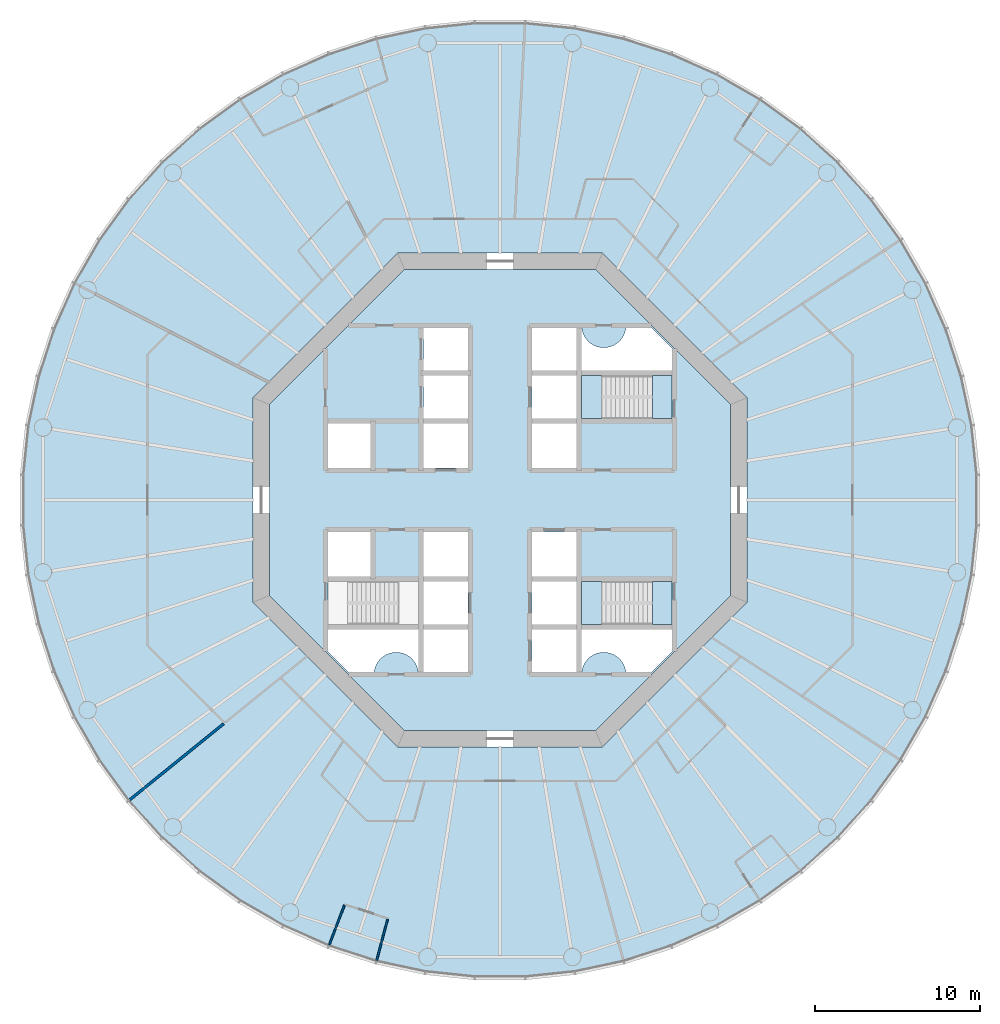
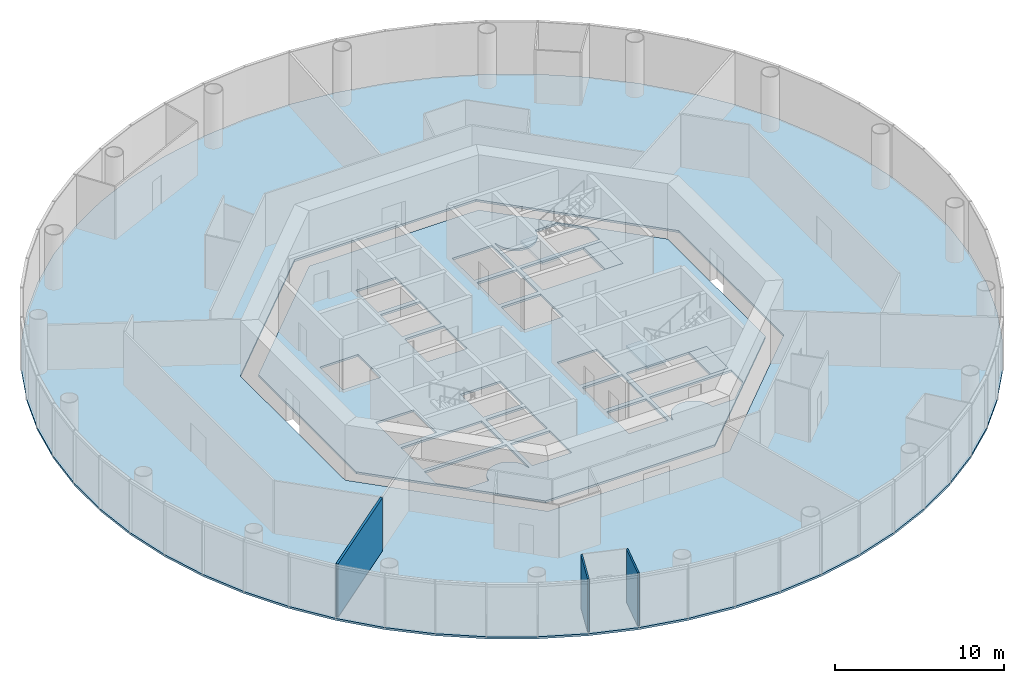
# One storey, part 2 of 13: 6 slabs, 3 walls, 2 elements without a shape of their own.
"""IFC4 building model written with IfcOpenShell, lengths in metres."""

from ifc_helpers import new_model, si_unit, direction, frame, frame_2d, origin, place, context, subcontext, project, spatial, polyline, rectangle, outline, extrude, material, layer, layer_set, type_object, element, aggregate, save


model = new_model("IFC4")

# Units and contexts
model_context = context("Model", 3, precision=1e-05, world=origin(), true_north=direction((0.0, 1.0)))
body_context = subcontext(model_context, "Body", "Model", "MODEL_VIEW")
ifc_project = project(units=[si_unit("LENGTHUNIT", "METRE"), si_unit("AREAUNIT", "SQUARE_METRE"), si_unit("VOLUMEUNIT", "CUBIC_METRE"), si_unit("PLANEANGLEUNIT", "RADIAN"), si_unit("MASSUNIT", "GRAM", prefix="KILO")], contexts=[model_context])

# Site, building, storey
site_placement = place(None, origin())
site = spatial("IfcSite", under=ifc_project, at=site_placement, CompositionType="ELEMENT")
building_placement = place(site_placement, origin())
building = spatial("IfcBuilding", under=site, at=building_placement, Name="Entoto Ring Tower", CompositionType="ELEMENT")
storey_placement = place(building_placement, frame((0.0, 0.0, 172.0)))
storey = spatial("IfcBuildingStorey", under=building, at=storey_placement, Name="L39", CompositionType="ELEMENT", Elevation=172.0)

# Slabs
ifc_material_1 = material(Name="Concrete C30/37", Category="concrete")
ifc_layer_1 = layer(ifc_material_1, 0.14990234375)
ifc_layer_set_1 = layer_set([ifc_layer_1], Name="Concrete C30/37")
slab_type_1 = type_object("IfcSlabType", Name="Composite floor slab 150 mm", PredefinedType="FLOOR", material=ifc_layer_set_1)
slab_1_placement = place(storey_placement, frame((0.0, 0.0, -0.14990234375)))
element("IfcSlab", 1, at=slab_1_placement, inside=storey, type_object=slab_type_1, Name="Floor slab L39", PredefinedType="FLOOR", context=body_context, shape_type="SweptSolid", body=[
    extrude(outline(polyline([(118.74169921875, 84.55224609375), (118.1083984375, 87.53173828125), (117.167236328125, 90.428466796875), (115.92822265625, 93.211181640625), (114.4052734375, 95.848876953125), (112.614990234375, 98.313232421875), (110.576904296875, 100.576904296875), (108.313232421875, 102.614990234375), (105.848876953125, 104.4052734375), (103.211181640625, 105.92822265625), (100.428466796875, 107.167236328125), (97.53173828125, 108.1083984375), (94.55224609375, 108.74169921875), (91.52294921875, 109.06005859375), (88.47705078125, 109.06005859375), (85.44775390625, 108.74169921875), (82.46826171875, 108.1083984375), (79.571533203125, 107.167236328125), (76.788818359375, 105.92822265625), (74.151123046875, 104.4052734375), (71.686767578125, 102.614990234375), (69.423095703125, 100.576904296875), (67.385009765625, 98.313232421875), (65.5947265625, 95.848876953125), (64.07177734375, 93.211181640625), (62.832763671875, 90.428466796875), (61.8916015625, 87.53173828125), (61.25830078125, 84.55224609375), (60.93994140625, 81.52294921875), (60.93994140625, 78.47705078125), (61.25830078125, 75.44775390625), (61.8916015625, 72.46826171875), (62.832763671875, 69.571533203125), (64.07177734375, 66.788818359375), (65.5947265625, 64.151123046875), (67.385009765625, 61.686767578125), (69.423095703125, 59.423095703125), (71.686767578125, 57.385009765625), (74.151123046875, 55.5947265625), (76.788818359375, 54.07177734375), (79.571533203125, 52.832763671875), (82.46826171875, 51.8916015625), (85.44775390625, 51.25830078125), (88.47705078125, 50.93994140625), (91.52294921875, 50.93994140625), (94.55224609375, 51.25830078125), (97.53173828125, 51.8916015625), (100.428466796875, 52.832763671875), (103.211181640625, 54.07177734375), (105.848876953125, 55.5947265625), (108.313232421875, 57.385009765625), (110.576904296875, 59.423095703125), (112.614990234375, 61.686767578125), (114.4052734375, 64.151123046875), (115.92822265625, 66.788818359375), (117.167236328125, 69.571533203125), (118.1083984375, 72.46826171875), (118.74169921875, 75.44775390625), (119.06005859375, 78.47705078125), (119.06005859375, 81.52294921875), (118.74169921875, 84.55224609375)]), holes=[polyline([(105.0, 73.786865234375), (105.0, 86.213134765625), (96.213134765625, 95.0), (83.786865234375, 95.0), (75.0, 86.213134765625), (75.0, 73.786865234375), (83.786865234375, 65.0), (96.213134765625, 65.0), (105.0, 73.786865234375)])]), origin(), (0.0, 0.0, 1.0), 0.14990234375),
])
ifc_material_2 = material(Name="Concrete C40/50", Category="concrete")
ifc_layer_2 = layer(ifc_material_2, 0.14990234375)
ifc_layer_set_2 = layer_set([ifc_layer_2], Name="Concrete C40/50")
slab_type_2 = type_object("IfcSlabType", Name="Core floor slab 150 mm reinforced concrete C40/50", PredefinedType="FLOOR", material=ifc_layer_set_2)
slab_2_placement = place(storey_placement, frame((0.0, 0.0, -0.14990234375)))
element("IfcSlab", 2, at=slab_2_placement, inside=storey, type_object=slab_type_2, Name="Core floor L39", PredefinedType="FLOOR", context=body_context, shape_type="SweptSolid", body=[
    extrude(outline(polyline([(104.0, 74.200927734375), (104.0, 85.799072265625), (95.799072265625, 94.0), (84.200927734375, 94.0), (76.0, 85.799072265625), (76.0, 74.200927734375), (84.200927734375, 66.0), (95.799072265625, 66.0), (104.0, 74.200927734375)]), holes=[polyline([(100.449951171875, 84.949951171875), (100.449951171875, 87.550048828125), (94.949951171875, 87.550048828125), (94.949951171875, 84.949951171875), (100.449951171875, 84.949951171875)]), polyline([(85.050048828125, 72.449951171875), (85.050048828125, 75.050048828125), (79.550048828125, 75.050048828125), (79.550048828125, 72.449951171875), (85.050048828125, 72.449951171875)]), polyline([(100.449951171875, 72.449951171875), (100.449951171875, 75.050048828125), (94.949951171875, 75.050048828125), (94.949951171875, 72.449951171875), (100.449951171875, 72.449951171875)]), polyline([(91.949951171875, 84.949951171875), (94.64990234375, 84.949951171875), (94.64990234375, 87.550048828125), (91.949951171875, 87.550048828125), (91.949951171875, 84.949951171875)]), polyline([(91.949951171875, 72.449951171875), (94.64990234375, 72.449951171875), (94.64990234375, 75.050048828125), (91.949951171875, 75.050048828125), (91.949951171875, 72.449951171875)]), polyline([(91.949951171875, 69.550048828125), (94.64990234375, 69.550048828125), (94.64990234375, 72.14990234375), (91.949951171875, 72.14990234375), (91.949951171875, 69.550048828125)]), polyline([(85.35009765625, 72.449951171875), (88.050048828125, 72.449951171875), (88.050048828125, 75.050048828125), (85.35009765625, 75.050048828125), (85.35009765625, 72.449951171875)]), polyline([(85.35009765625, 81.949951171875), (88.050048828125, 81.949951171875), (88.050048828125, 84.64990234375), (85.35009765625, 84.64990234375), (85.35009765625, 81.949951171875)]), polyline([(91.949951171875, 75.35009765625), (94.64990234375, 75.35009765625), (94.64990234375, 78.050048828125), (91.949951171875, 78.050048828125), (91.949951171875, 75.35009765625)]), polyline([(79.550048828125, 81.949951171875), (82.14990234375, 81.949951171875), (82.14990234375, 84.64990234375), (79.550048828125, 84.64990234375), (79.550048828125, 81.949951171875)]), polyline([(79.550048828125, 75.35009765625), (82.14990234375, 75.35009765625), (82.14990234375, 78.050048828125), (79.550048828125, 78.050048828125), (79.550048828125, 75.35009765625)]), polyline([(91.949951171875, 87.85009765625), (94.64990234375, 87.85009765625), (94.64990234375, 90.449951171875), (91.949951171875, 90.449951171875), (91.949951171875, 87.85009765625)]), polyline([(85.35009765625, 69.550048828125), (88.050048828125, 69.550048828125), (88.050048828125, 72.14990234375), (85.35009765625, 72.14990234375), (85.35009765625, 69.550048828125)]), polyline([(91.949951171875, 81.949951171875), (94.64990234375, 81.949951171875), (94.64990234375, 84.64990234375), (91.949951171875, 84.64990234375), (91.949951171875, 81.949951171875)]), polyline([(85.35009765625, 75.35009765625), (88.050048828125, 75.35009765625), (88.050048828125, 78.050048828125), (85.35009765625, 78.050048828125), (85.35009765625, 75.35009765625)]), polyline([(85.35009765625, 84.949951171875), (88.050048828125, 84.949951171875), (88.050048828125, 87.550048828125), (85.35009765625, 87.550048828125), (85.35009765625, 84.949951171875)]), polyline([(85.35009765625, 87.85009765625), (88.050048828125, 87.85009765625), (88.050048828125, 90.449951171875), (85.35009765625, 90.449951171875), (85.35009765625, 87.85009765625)]), polyline([(94.89990234375, 90.5), (94.89990234375, 87.800048828125), (100.5, 87.800048828125), (100.5, 89.15771484375), (99.15771484375, 90.5), (97.64501953125, 90.5), (97.6435546875, 90.4677734375), (97.6240234375, 90.336669921875), (97.591796875, 90.2080078125), (97.547119140625, 90.08349609375), (97.490478515625, 89.963623046875), (97.422607421875, 89.85009765625), (97.343505859375, 89.74365234375), (97.254638671875, 89.6455078125), (97.156494140625, 89.556396484375), (97.050048828125, 89.4775390625), (96.936279296875, 89.409423828125), (96.816650390625, 89.352783203125), (96.69189453125, 89.30810546875), (96.5634765625, 89.27587890625), (96.432373046875, 89.256591796875), (96.300048828125, 89.25), (96.167724609375, 89.256591796875), (96.03662109375, 89.27587890625), (95.908203125, 89.30810546875), (95.783447265625, 89.352783203125), (95.66357421875, 89.409423828125), (95.550048828125, 89.4775390625), (95.443603515625, 89.556396484375), (95.345458984375, 89.6455078125), (95.25634765625, 89.74365234375), (95.177490234375, 89.85009765625), (95.109375, 89.963623046875), (95.052734375, 90.08349609375), (95.008056640625, 90.2080078125), (94.975830078125, 90.336669921875), (94.95654296875, 90.4677734375), (94.954833984375, 90.5), (94.89990234375, 90.5)]), polyline([(79.5, 70.84228515625), (80.84228515625, 69.5), (82.35498046875, 69.5), (82.3564453125, 69.5322265625), (82.3759765625, 69.663330078125), (82.408203125, 69.7919921875), (82.452880859375, 69.91650390625), (82.509521484375, 70.036376953125), (82.577392578125, 70.14990234375), (82.656494140625, 70.25634765625), (82.745361328125, 70.3544921875), (82.843505859375, 70.443603515625), (82.949951171875, 70.5224609375), (83.063720703125, 70.590576171875), (83.183349609375, 70.647216796875), (83.30810546875, 70.69189453125), (83.4365234375, 70.72412109375), (83.567626953125, 70.743408203125), (83.699951171875, 70.75), (83.832275390625, 70.743408203125), (83.96337890625, 70.72412109375), (84.091796875, 70.69189453125), (84.216552734375, 70.647216796875), (84.33642578125, 70.590576171875), (84.449951171875, 70.5224609375), (84.556396484375, 70.443603515625), (84.654541015625, 70.3544921875), (84.74365234375, 70.25634765625), (84.822509765625, 70.14990234375), (84.890625, 70.036376953125), (84.947265625, 69.91650390625), (84.991943359375, 69.7919921875), (85.024169921875, 69.663330078125), (85.04345703125, 69.5322265625), (85.045166015625, 69.5), (85.10009765625, 69.5), (85.10009765625, 72.199951171875), (79.5, 72.199951171875), (79.5, 70.84228515625)]), polyline([(97.64501953125, 69.5), (99.15771484375, 69.5), (100.5, 70.84228515625), (100.5, 72.199951171875), (94.89990234375, 72.199951171875), (94.89990234375, 69.5), (94.954833984375, 69.5), (94.95654296875, 69.5322265625), (94.975830078125, 69.663330078125), (95.008056640625, 69.7919921875), (95.052734375, 69.91650390625), (95.109375, 70.036376953125), (95.177490234375, 70.14990234375), (95.25634765625, 70.25634765625), (95.345458984375, 70.3544921875), (95.443603515625, 70.443603515625), (95.550048828125, 70.5224609375), (95.66357421875, 70.590576171875), (95.783447265625, 70.647216796875), (95.908203125, 70.69189453125), (96.03662109375, 70.72412109375), (96.167724609375, 70.743408203125), (96.300048828125, 70.75), (96.432373046875, 70.743408203125), (96.5634765625, 70.72412109375), (96.69189453125, 70.69189453125), (96.816650390625, 70.647216796875), (96.936279296875, 70.590576171875), (97.050048828125, 70.5224609375), (97.156494140625, 70.443603515625), (97.254638671875, 70.3544921875), (97.343505859375, 70.25634765625), (97.422607421875, 70.14990234375), (97.490478515625, 70.036376953125), (97.547119140625, 69.91650390625), (97.591796875, 69.7919921875), (97.6240234375, 69.663330078125), (97.6435546875, 69.5322265625), (97.64501953125, 69.5)])]), origin(), (0.0, 0.0, 1.0), 0.14990234375),
])

# Stair, slabs
ifc_material_3 = material(Name="Concrete C40/50", Category="concrete")
stair_type = type_object("IfcStairType", Name="Exit stair 1200 mm dog-leg reinforced concrete", PredefinedType="HALF_TURN_STAIR", material=ifc_material_3)
stair_1_placement = place(storey_placement, origin())
stair_1 = element("IfcStair", 3, at=stair_1_placement, inside=storey, type_object=stair_type, Name="Exit stair 1", PredefinedType="HALF_TURN_STAIR")
ifc_material_4 = material(Name="Concrete C40/50", Category="concrete")
ifc_layer_3 = layer(ifc_material_4, 0.199951171875)
ifc_layer_set_3 = layer_set([ifc_layer_3], Name="Concrete C40/50")
slab_type_3 = type_object("IfcSlabType", Name="Stair landing 200 mm reinforced concrete", PredefinedType="LANDING", material=ifc_layer_set_3)
slab_3_placement = place(storey_placement, frame((0.0, 0.0, -0.199951171875)))
slab_3 = element("IfcSlab", 4, at=slab_3_placement, type_object=slab_type_3, Name="ST1 landing 1", PredefinedType="LANDING", context=body_context, shape_type="SweptSolid", body=[
    extrude(outline(polyline([(100.449951171875, 84.949951171875), (100.449951171875, 87.550048828125), (99.25, 87.550048828125), (99.25, 84.949951171875), (100.449951171875, 84.949951171875)])), origin(), (0.0, 0.0, 1.0), 0.199951171875),
])
slab_4_placement = place(storey_placement, frame((0.0, 0.0, 1.800048828125)))
slab_4 = element("IfcSlab", 5, at=slab_4_placement, type_object=slab_type_3, Name="ST1 landing 2", PredefinedType="LANDING", context=body_context, shape_type="SweptSolid", body=[
    extrude(outline(polyline([(94.949951171875, 84.949951171875), (96.169921875, 84.949951171875), (96.169921875, 87.550048828125), (94.949951171875, 87.550048828125), (94.949951171875, 84.949951171875)])), origin(), (0.0, 0.0, 1.0), 0.199951171875),
])
aggregate(stair_1, [slab_3, slab_4])

stair_2_placement = place(storey_placement, origin())
stair_2 = element("IfcStair", 6, at=stair_2_placement, inside=storey, type_object=stair_type, Name="Exit stair 3", PredefinedType="HALF_TURN_STAIR")
slab_5_placement = place(storey_placement, frame((0.0, 0.0, -0.199951171875)))
slab_5 = element("IfcSlab", 7, at=slab_5_placement, type_object=slab_type_3, Name="ST3 landing 1", PredefinedType="LANDING", context=body_context, shape_type="SweptSolid", body=[
    extrude(outline(polyline([(100.449951171875, 72.449951171875), (100.449951171875, 75.050048828125), (99.25, 75.050048828125), (99.25, 72.449951171875), (100.449951171875, 72.449951171875)])), origin(), (0.0, 0.0, 1.0), 0.199951171875),
])
slab_6_placement = place(storey_placement, frame((0.0, 0.0, 1.800048828125)))
slab_6 = element("IfcSlab", 8, at=slab_6_placement, type_object=slab_type_3, Name="ST3 landing 2", PredefinedType="LANDING", context=body_context, shape_type="SweptSolid", body=[
    extrude(outline(polyline([(94.949951171875, 72.449951171875), (96.169921875, 72.449951171875), (96.169921875, 75.050048828125), (94.949951171875, 75.050048828125), (94.949951171875, 72.449951171875)])), origin(), (0.0, 0.0, 1.0), 0.199951171875),
])
aggregate(stair_2, [slab_5, slab_6])

# Walls
ifc_material_5 = material(Name="Plasterboard on steel studs", Category="steel")
ifc_layer_4 = layer(ifc_material_5, 0.10009765625)
ifc_layer_set_4 = layer_set([ifc_layer_4], Name="Plasterboard on steel studs")
wall_type_1 = type_object("IfcWallType", Name="Partition 100 mm plasterboard on steel studs", PredefinedType="PARTITIONING", material=ifc_layer_set_4)
for number, where, z_axis, x_axis, name in (
    (9, (79.62890625, 52.982177734375, 0.0), (0.0, 0.0, 1.0), (0.358351242757, 0.933586839461, 0.0), "partition-L39-037"),
    (10, (82.509765625, 52.046142578125, 0.0), (0.0, 0.0, 1.0), (0.258799149182, 0.965931157165, 0.0), "partition-L39-038"),
):
    element("IfcWall", number, at=place(storey_placement, frame(where, z_axis=z_axis, x_axis=x_axis)), inside=storey, type_object=wall_type_1, Name=name, PredefinedType="PARTITIONING", context=body_context, shape_type="SweptSolid", body=[
        extrude(rectangle(XDim=2.580078125, YDim=0.10009765625, at=frame_2d((1.2900390625, 0.0))), origin(), (0.0, 0.0, 1.0), 3.85009765625),
    ])
ifc_material_6 = material(Name="Fire-resisting acoustic plasterboard on steel studs", Category="steel")
ifc_layer_5 = layer(ifc_material_6, 0.14990234375)
ifc_layer_set_5 = layer_set([ifc_layer_5], Name="Fire-resisting acoustic plasterboard on steel studs")
wall_type_2 = type_object("IfcWallType", Name="Party wall 150 mm one-hour acoustic plasterboard on steel studs", PredefinedType="PARTITIONING", material=ifc_layer_set_5)
wall_placement = place(storey_placement, frame((67.509521484375, 61.78759765625, 0.0), z_axis=(0.0, 0.0, 1.0), x_axis=(0.777145090465, 0.629321466634, 0.0)))
element("IfcWall", 11, at=wall_placement, inside=storey, type_object=wall_type_2, Name="partition-L39-019", PredefinedType="PARTITIONING", context=body_context, shape_type="SweptSolid", body=[
    extrude(rectangle(XDim=7.35107421875, YDim=0.14990234375, at=frame_2d((3.675537109375, 0.0))), origin(), (0.0, 0.0, 1.0), 3.85009765625),
])

save(model, "model.ifc")
